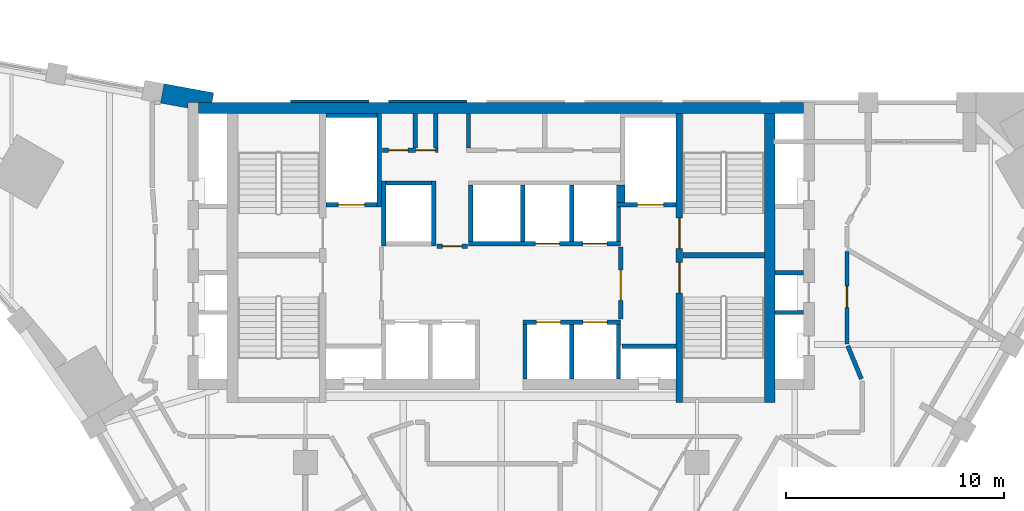
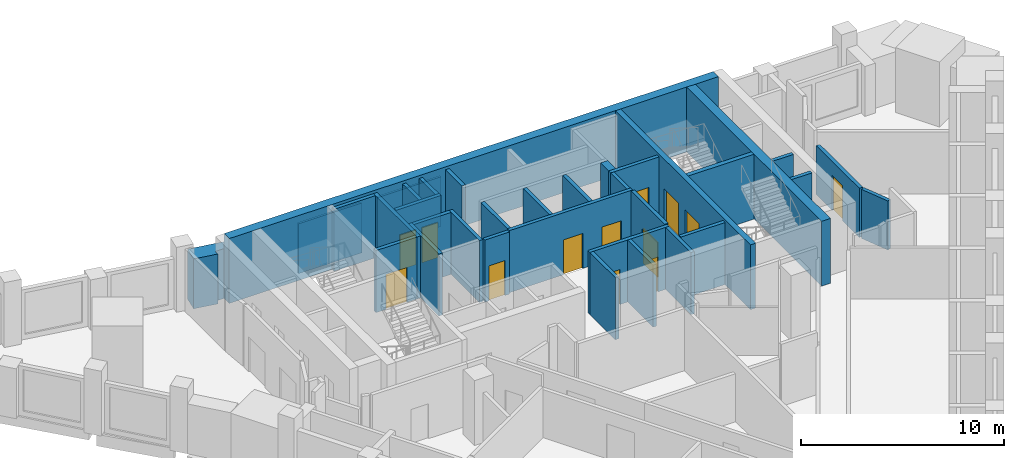
# One storey, part 6 of 9: 35 walls, 13 doors, 13 openings.
"""IFC4 building model written with IfcOpenShell, lengths in metres."""

from ifc_helpers import new_model, si_unit, direction, frame, frame_2d, origin, place, context, subcontext, project, spatial, polyline, rectangle, outline, extrude, material, layer, layer_set, type_object, element, fill, save


model = new_model("IFC4")

# Units and contexts
model_context = context("Model", 3, precision=1e-05, world=origin(), true_north=direction((0.0, 1.0)))
body_context = subcontext(model_context, "Body", "Model", "MODEL_VIEW")
ifc_project = project(units=[si_unit("LENGTHUNIT", "METRE"), si_unit("AREAUNIT", "SQUARE_METRE"), si_unit("VOLUMEUNIT", "CUBIC_METRE"), si_unit("PLANEANGLEUNIT", "RADIAN"), si_unit("MASSUNIT", "GRAM", prefix="KILO")], contexts=[model_context])

# Site, building, storey
site_placement = place(None, origin())
site = spatial("IfcSite", under=ifc_project, at=site_placement, CompositionType="ELEMENT")
building_placement = place(site_placement, origin())
building = spatial("IfcBuilding", under=site, at=building_placement, Name="Calabash Gate Tower", CompositionType="ELEMENT")
storey_placement = place(building_placement, frame((0.0, 0.0, 200.300048828125)))
storey = spatial("IfcBuildingStorey", under=building, at=storey_placement, Name="L47", CompositionType="ELEMENT", Elevation=200.300048828125)

# Walls
ifc_material_1 = material(Name="Terracotta brick masonry, exposed face", Category="masonry")
ifc_layer_1 = layer(ifc_material_1, 0.89990234375)
ifc_layer_set_1 = layer_set([ifc_layer_1], Name="Brick end wall 900")
wall_type_1 = type_object("IfcWallType", Name="Brick end wall 900", PredefinedType="SOLIDWALL", material=ifc_layer_set_1)
wall_1_placement = place(storey_placement, origin())
element("IfcWall", 1, at=wall_1_placement, inside=storey, type_object=wall_type_1, Name="Brick end wall S13 1", PredefinedType="SOLIDWALL", context=body_context, shape_type="SweptSolid", body=[
    extrude(outline(polyline([(-15.651611328125, 19.02734375), (-15.65185546875, 19.027099609375), (-14.39990234375, 18.798095703125), (-14.39990234375, 19.052490234375), (-13.291015625, 19.052490234375), (-13.2099609375, 19.4951171875), (-15.489501953125, 19.912353515625), (-15.6513671875, 19.02734375), (-15.651611328125, 19.02734375)])), origin(), (0.0, 0.0, 1.0), 3.0),
])
ifc_material_2 = material(Name="Gypsum board on steel studs, mineral wool", Category="steel")
ifc_layer_2 = layer(ifc_material_2, 0.199951171875)
ifc_layer_set_2 = layer_set([ifc_layer_2], Name="Core partition 200 gypsum board")
wall_type_2 = type_object("IfcWallType", Name="Core partition 200 gypsum board", PredefinedType="PARTITIONING", material=ifc_layer_set_2)
for number, where, z_axis, x_axis, name in (
    (2, (-3.949951171875, 16.95263671875, 0.0), (0.0, 0.0, 1.0), (0.0, 1.0, 0.0), "Core partition"),
    (3, (-3.0, 16.95263671875, 0.0), (0.0, 0.0, 1.0), (0.0, 1.0, 0.0), "Core partition"),
    (4, (-1.5, 16.95263671875, 0.0), (0.0, 0.0, 1.0), (0.0, 1.0, 0.0), "Core partition"),
):
    element("IfcWall", number, at=place(storey_placement, frame(where, z_axis=z_axis, x_axis=x_axis)), inside=storey, type_object=wall_type_2, Name=name, PredefinedType="PARTITIONING", context=body_context, shape_type="SweptSolid", body=[
        extrude(rectangle(XDim=1.599853515625, YDim=0.199951171875, at=frame_2d((0.7998046875, 0.0))), origin(), (0.0, 0.0, 1.0), 3.72998046875),
    ])
ifc_material_3 = material(Name="Concrete C70/85", Category="concrete")
ifc_layer_3 = layer(ifc_material_3, 0.25)
ifc_layer_set_3 = layer_set([ifc_layer_3], Name="Core wall 250 Concrete C70/85")
wall_type_3 = type_object("IfcWallType", Name="Core wall 250 Concrete C70/85", PredefinedType="SHEAR", material=ifc_layer_set_3)
wall_2_placement = place(storey_placement, frame((8.35009765625, 12.027587890625, 0.0), z_axis=(0.0, 0.0, 1.0), x_axis=(1.0, 0.0, 0.0)))
element("IfcWall", 5, at=wall_2_placement, inside=storey, type_object=wall_type_3, Name="Core wall Z4-MIDE L47", PredefinedType="SHEAR", context=body_context, shape_type="SweptSolid", body=[
    extrude(rectangle(XDim=3.75, YDim=0.25, at=frame_2d((1.875, 0.0))), origin(), (0.0, 0.0, 1.0), 3.89990234375),
])

# Wall, openings, doors
ifc_material_4 = material(Name="Concrete C70/85", Category="concrete")
ifc_layer_4 = layer(ifc_material_4, 0.300048828125)
ifc_layer_set_4 = layer_set([ifc_layer_4], Name="Core wall 300 Concrete C70/85")
wall_type_4 = type_object("IfcWallType", Name="Core wall 300 Concrete C70/85", PredefinedType="SHEAR", material=ifc_layer_set_4)
wall_3_placement = place(storey_placement, frame((8.199951171875, 5.252685546875, 0.0), z_axis=(0.0, 0.0, 1.0), x_axis=(0.0, 1.0, 0.0)))
wall_3 = element("IfcWall", 6, at=wall_3_placement, inside=storey, type_object=wall_type_4, Name="Core wall Z4-PARTE L47", PredefinedType="SHEAR", context=body_context, shape_type="SweptSolid", body=[
    extrude(rectangle(XDim=13.2998046875, YDim=0.300048828125, at=frame_2d((6.64990234375, 0.0))), origin(), (0.0, 0.0, 1.0), 3.89990234375),
])
opening_1_placement = place(wall_3_placement, frame((7.10009765625, 0.0, 0.0)))
opening_1 = element("IfcOpeningElement", 7, at=opening_1_placement, cuts=wall_3, Name="Opening O5-020", PredefinedType="OPENING", context=body_context, shape_type="SweptSolid", body=[
    extrude(rectangle(XDim=1.39990234375, YDim=2.10009765625, at=frame_2d((0.699951171875, 1.050048828125))), frame((0.0, 0.159912109375, 0.0), z_axis=(0.0, -1.0, 0.0), x_axis=(1.0, 0.0, 0.0)), (0.0, 0.0, 1.0), 0.320068359375),
])
opening_2_placement = place(wall_3_placement, frame((5.050048828125, 0.0, 0.0)))
opening_2 = element("IfcOpeningElement", 8, at=opening_2_placement, cuts=wall_3, Name="Opening O5-021", PredefinedType="OPENING", context=body_context, shape_type="SweptSolid", body=[
    extrude(rectangle(XDim=1.39990234375, YDim=2.10009765625, at=frame_2d((0.699951171875, 1.050048828125))), frame((0.0, 0.159912109375, 0.0), z_axis=(0.0, -1.0, 0.0), x_axis=(1.0, 0.0, 0.0)), (0.0, 0.0, 1.0), 0.320068359375),
])
ifc_material_5 = material(Name="Steel fire door set with fire-resisting glazing", Category="steel")
door_type_1 = type_object("IfcDoorType", Name="Fire door D05 1400x2100 FD90", OperationType="NOTDEFINED", PredefinedType="DOOR", material=ifc_material_5)
door_1_placement = place(opening_1_placement, origin())
door_1 = element("IfcDoor", 9, at=door_1_placement, inside=storey, type_object=door_type_1, Name="Exit stair door ST3", OperationType="SINGLE_SWING_RIGHT", OverallHeight=2.10009765625, OverallWidth=1.39990234375, PredefinedType="DOOR", context=body_context, shape_type="SweptSolid", body=[
    extrude(rectangle(XDim=1.39990234375, YDim=2.10009765625, at=frame_2d((0.699951171875, 1.050048828125))), frame((0.0, 0.02490234375, 0.0), z_axis=(0.0, -1.0, 0.0), x_axis=(1.0, 0.0, 0.0)), (0.0, 0.0, 1.0), 0.050048828125),
])
fill(opening_1, door_1)
door_2_placement = place(opening_2_placement, origin())
door_2 = element("IfcDoor", 10, at=door_2_placement, inside=storey, type_object=door_type_1, Name="Exit stair door ST4", OperationType="SINGLE_SWING_LEFT", OverallHeight=2.10009765625, OverallWidth=1.39990234375, PredefinedType="DOOR", context=body_context, shape_type="SweptSolid", body=[
    extrude(rectangle(XDim=1.39990234375, YDim=2.10009765625, at=frame_2d((0.699951171875, 1.050048828125))), frame((0.0, 0.02490234375, 0.0), z_axis=(0.0, -1.0, 0.0), x_axis=(1.0, 0.0, 0.0)), (0.0, 0.0, 1.0), 0.050048828125),
])
fill(opening_2, door_2)

# Walls
ifc_material_6 = material(Name="Concrete C70/85", Category="concrete")
ifc_layer_5 = layer(ifc_material_6, 0.5)
ifc_layer_set_5 = layer_set([ifc_layer_5], Name="Core wall 500 Concrete C70/85")
wall_type_5 = type_object("IfcWallType", Name="Core wall 500 Concrete C70/85", PredefinedType="SHEAR", material=ifc_layer_set_5)
wall_4_placement = place(storey_placement, frame((-13.89990234375, 18.802490234375, 0.0), z_axis=(0.0, 0.0, 1.0), x_axis=(1.0, 0.0, 0.0)))
element("IfcWall", 11, at=wall_4_placement, inside=storey, type_object=wall_type_5, Name="Core wall Z4-N L47", PredefinedType="SHEAR", context=body_context, shape_type="SweptSolid", body=[
    extrude(rectangle(XDim=27.7998046875, YDim=0.5, at=frame_2d((13.89990234375, 0.0))), origin(), (0.0, 0.0, 1.0), 3.89990234375),
])
wall_5_placement = place(storey_placement, frame((12.35009765625, 5.252685546875, 0.0), z_axis=(0.0, 0.0, 1.0), x_axis=(0.0, 1.0, 0.0)))
element("IfcWall", 12, at=wall_5_placement, inside=storey, type_object=wall_type_5, Name="Core wall Z4-COLE L47", PredefinedType="SHEAR", context=body_context, shape_type="SweptSolid", body=[
    extrude(rectangle(XDim=13.2998046875, YDim=0.5, at=frame_2d((6.64990234375, 0.0))), origin(), (0.0, 0.0, 1.0), 3.89990234375),
])
ifc_material_7 = material(Name="Gypsum board on steel studs, mineral wool", Category="steel")
ifc_layer_6 = layer(ifc_material_7, 0.199951171875)
ifc_layer_set_6 = layer_set([ifc_layer_6], Name="Partition 200 gypsum board EI 60")
wall_type_6 = type_object("IfcWallType", Name="Partition 200 gypsum board EI 60", PredefinedType="PARTITIONING", material=ifc_layer_set_6)
wall_6_placement = place(storey_placement, frame((15.938720703125, 7.860107421875, 0.0), z_axis=(0.0, 0.0, 1.0), x_axis=(0.380749805254, -0.924678098475, 0.0)))
element("IfcWall", 13, at=wall_6_placement, inside=storey, type_object=wall_type_6, Name="Partition", PredefinedType="PARTITIONING", context=body_context, shape_type="SweptSolid", body=[
    extrude(rectangle(XDim=1.63818359375, YDim=0.199951171875, at=frame_2d((0.819091796875, 0.0))), origin(), (0.0, 0.0, 1.0), 2.949951171875),
])

# Wall, opening, door
wall_7_placement = place(storey_placement, frame((15.900390625, 7.95263671875, 0.0), z_axis=(0.0, 0.0, 1.0), x_axis=(0.000402229468, 0.999999919106, 0.0)))
wall_7 = element("IfcWall", 14, at=wall_7_placement, inside=storey, type_object=wall_type_6, Name="Partition", PredefinedType="PARTITIONING", context=body_context, shape_type="SweptSolid", body=[
    extrude(rectangle(XDim=4.248779296875, YDim=0.199951171875, at=frame_2d((2.12451171875, 0.0))), origin(), (0.0, 0.0, 1.0), 2.949951171875),
])
opening_3_placement = place(wall_7_placement, frame((1.67578125, 0.0, 0.0)))
opening_3 = element("IfcOpeningElement", 15, at=opening_3_placement, cuts=wall_7, Name="Opening 46-48-011", PredefinedType="OPENING", context=body_context, shape_type="SweptSolid", body=[
    extrude(rectangle(XDim=1.0, YDim=2.10009765625, at=frame_2d((0.5, 1.050048828125))), frame((0.0, 0.10986328125, 0.0), z_axis=(0.0, -1.0, 0.0), x_axis=(1.0, 0.0, 0.0)), (0.0, 0.0, 1.0), 0.219970703125),
])
ifc_material_8 = material(Name="Steel fire door set with fire-resisting glazing", Category="steel")
door_type_2 = type_object("IfcDoorType", Name="LD2 Meeting room door 1000x2100", OperationType="NOTDEFINED", PredefinedType="DOOR", material=ifc_material_8)
door_3_placement = place(opening_3_placement, origin())
door_3 = element("IfcDoor", 16, at=door_3_placement, inside=storey, type_object=door_type_2, Name="Meeting room door", OperationType="SINGLE_SWING_RIGHT", OverallHeight=2.10009765625, OverallWidth=1.0, PredefinedType="DOOR", context=body_context, shape_type="SweptSolid", body=[
    extrude(rectangle(XDim=1.0, YDim=2.10009765625, at=frame_2d((0.5, 1.050048828125))), frame((0.0, 0.02490234375, 0.0), z_axis=(0.0, -1.0, 0.0), x_axis=(1.0, 0.0, 0.0)), (0.0, 0.0, 1.0), 0.050048828125),
])
fill(opening_3, door_3)

# Walls
ifc_material_9 = material(Name="Concrete C40/50", Category="concrete")
ifc_layer_7 = layer(ifc_material_9, 0.199951171875)
ifc_layer_set_7 = layer_set([ifc_layer_7], Name="Shaft wall 200 Concrete C40/50")
wall_type_7 = type_object("IfcWallType", Name="Shaft wall 200 Concrete C40/50", PredefinedType="SOLIDWALL", material=ifc_layer_set_7)
for number, where, z_axis, x_axis, name in (
    (17, (1.10009765625, 6.3525390625, 0.0), (0.0, 0.0, 1.0), (0.0, 1.0, 0.0), "Shaft wall"),
    (18, (3.25, 6.3525390625, 0.0), (0.0, 0.0, 1.0), (0.0, 1.0, 0.0), "Shaft wall"),
    (19, (5.39990234375, 6.3525390625, 0.0), (0.0, 0.0, 1.0), (0.0, 1.0, 0.0), "Shaft wall"),
    (20, (5.550048828125, 7.8525390625, 0.0), (0.0, 0.0, 1.0), (1.0, 0.0, 0.0), "Shaft wall"),
):
    element("IfcWall", number, at=place(storey_placement, frame(where, z_axis=z_axis, x_axis=x_axis)), inside=storey, type_object=wall_type_7, Name=name, PredefinedType="SOLIDWALL", context=body_context, shape_type="SweptSolid", body=[
        extrude(rectangle(XDim=2.5, YDim=0.199951171875, at=frame_2d((1.25, 0.0))), origin(), (0.0, 0.0, 1.0), 3.72998046875),
    ])

# Wall, openings, doors
wall_8_placement = place(storey_placement, frame((1.0, 8.95263671875, 0.0), z_axis=(0.0, 0.0, 1.0), x_axis=(1.0, 0.0, 0.0)))
wall_8 = element("IfcWall", 21, at=wall_8_placement, inside=storey, type_object=wall_type_7, Name="Shaft wall", PredefinedType="SOLIDWALL", context=body_context, shape_type="SweptSolid", body=[
    extrude(rectangle(XDim=4.5, YDim=0.199951171875, at=frame_2d((2.25, 0.0))), origin(), (0.0, 0.0, 1.0), 3.72998046875),
])
opening_4_placement = place(wall_8_placement, frame((0.625, 0.0, 0.0)))
opening_4 = element("IfcOpeningElement", 22, at=opening_4_placement, cuts=wall_8, Name="Opening LD-HR3", PredefinedType="OPENING", context=body_context, shape_type="SweptSolid", body=[
    extrude(rectangle(XDim=1.10009765625, YDim=2.10009765625, at=frame_2d((0.550048828125, 1.050048828125))), frame((0.0, 0.10986328125, 0.0), z_axis=(0.0, -1.0, 0.0), x_axis=(1.0, 0.0, 0.0)), (0.0, 0.0, 1.0), 0.219970703125),
])
opening_5_placement = place(wall_8_placement, frame((2.77490234375, 0.0, 0.0)))
opening_5 = element("IfcOpeningElement", 23, at=opening_5_placement, cuts=wall_8, Name="Opening LD-HR4", PredefinedType="OPENING", context=body_context, shape_type="SweptSolid", body=[
    extrude(rectangle(XDim=1.10009765625, YDim=2.10009765625, at=frame_2d((0.550048828125, 1.050048828125))), frame((0.0, 0.10986328125, 0.0), z_axis=(0.0, -1.0, 0.0), x_axis=(1.0, 0.0, 0.0)), (0.0, 0.0, 1.0), 0.219970703125),
])
ifc_material_10 = material(Name="Stainless steel sliding door leaves", Category="steel")
door_type_3 = type_object("IfcDoorType", Name="Lift landing door LS1 1100x2100 FD90", OperationType="DOUBLE_DOOR_SLIDING", PredefinedType="DOOR", material=ifc_material_10)
door_4_placement = place(opening_4_placement, origin())
door_4 = element("IfcDoor", 24, at=door_4_placement, inside=storey, type_object=door_type_3, Name="Lift landing door HR3", OperationType="DOUBLE_DOOR_SLIDING", OverallHeight=2.10009765625, OverallWidth=1.10009765625, PredefinedType="DOOR", context=body_context, shape_type="SweptSolid", body=[
    extrude(rectangle(XDim=1.10009765625, YDim=2.10009765625, at=frame_2d((0.550048828125, 1.050048828125))), frame((0.0, 0.02490234375, 0.0), z_axis=(0.0, -1.0, 0.0), x_axis=(1.0, 0.0, 0.0)), (0.0, 0.0, 1.0), 0.050048828125),
])
fill(opening_4, door_4)
door_5_placement = place(opening_5_placement, origin())
door_5 = element("IfcDoor", 25, at=door_5_placement, inside=storey, type_object=door_type_3, Name="Lift landing door HR4", OperationType="DOUBLE_DOOR_SLIDING", OverallHeight=2.10009765625, OverallWidth=1.10009765625, PredefinedType="DOOR", context=body_context, shape_type="SweptSolid", body=[
    extrude(rectangle(XDim=1.10009765625, YDim=2.10009765625, at=frame_2d((0.550048828125, 1.050048828125))), frame((0.0, 0.02490234375, 0.0), z_axis=(0.0, -1.0, 0.0), x_axis=(1.0, 0.0, 0.0)), (0.0, 0.0, 1.0), 0.050048828125),
])
fill(opening_5, door_5)

# Wall, opening, door
wall_9_placement = place(storey_placement, frame((5.5, 9.1025390625, 0.0), z_axis=(0.0, 0.0, 1.0), x_axis=(0.0, 1.0, 0.0)))
wall_9 = element("IfcWall", 26, at=wall_9_placement, inside=storey, type_object=wall_type_7, Name="Shaft wall", PredefinedType="SOLIDWALL", context=body_context, shape_type="SweptSolid", body=[
    extrude(rectangle(XDim=3.300048828125, YDim=0.199951171875, at=frame_2d((1.64990234375, 0.0))), origin(), (0.0, 0.0, 1.0), 3.72998046875),
])
opening_6_placement = place(wall_9_placement, frame((0.85009765625, 0.0, 0.0)))
opening_6 = element("IfcOpeningElement", 27, at=opening_6_placement, cuts=wall_9, Name="Opening O5-010", PredefinedType="OPENING", context=body_context, shape_type="SweptSolid", body=[
    extrude(rectangle(XDim=1.39990234375, YDim=2.10009765625, at=frame_2d((0.699951171875, 1.050048828125))), frame((0.0, 0.10986328125, 0.0), z_axis=(0.0, -1.0, 0.0), x_axis=(1.0, 0.0, 0.0)), (0.0, 0.0, 1.0), 0.219970703125),
])
door_6_placement = place(opening_6_placement, origin())
door_6 = element("IfcDoor", 28, at=door_6_placement, inside=storey, type_object=door_type_1, Name="Firefighting Lobby E door", OperationType="SINGLE_SWING_LEFT", OverallHeight=2.10009765625, OverallWidth=1.39990234375, PredefinedType="DOOR", context=body_context, shape_type="SweptSolid", body=[
    extrude(rectangle(XDim=1.39990234375, YDim=2.10009765625, at=frame_2d((0.699951171875, 1.050048828125))), frame((0.0, 0.02490234375, 0.0), z_axis=(0.0, -1.0, 0.0), x_axis=(1.0, 0.0, 0.0)), (0.0, 0.0, 1.0), 0.050048828125),
])
fill(opening_6, door_6)

# Walls
for number, where, z_axis, x_axis, name in (
    (29, (12.60009765625, 9.402587890625, 0.0), (0.0, 0.0, 1.0), (1.0, 0.0, 0.0), "Shaft wall"),
    (30, (12.60009765625, 11.232666015625, 0.0), (0.0, 0.0, 1.0), (1.0, 0.0, 0.0), "Shaft wall"),
):
    element("IfcWall", number, at=place(storey_placement, frame(where, z_axis=z_axis, x_axis=x_axis)), inside=storey, type_object=wall_type_7, Name=name, PredefinedType="SOLIDWALL", context=body_context, shape_type="SweptSolid", body=[
        extrude(rectangle(XDim=1.2998046875, YDim=0.199951171875, at=frame_2d((0.64990234375, 0.0))), origin(), (0.0, 0.0, 1.0), 3.72998046875),
    ])

# Wall, opening, door
wall_10_placement = place(storey_placement, frame((-2.949951171875, 12.45263671875, 0.0), z_axis=(0.0, 0.0, 1.0), x_axis=(1.0, 0.0, 0.0)))
wall_10 = element("IfcWall", 31, at=wall_10_placement, inside=storey, type_object=wall_type_7, Name="Shaft wall", PredefinedType="SOLIDWALL", context=body_context, shape_type="SweptSolid", body=[
    extrude(rectangle(XDim=1.39990234375, YDim=0.199951171875, at=frame_2d((0.699951171875, 0.0))), origin(), (0.0, 0.0, 1.0), 3.72998046875),
])
opening_7_placement = place(wall_10_placement, frame((0.25, 0.0, 0.0)))
opening_7 = element("IfcOpeningElement", 32, at=opening_7_placement, cuts=wall_10, Name="Opening O5-009", PredefinedType="OPENING", context=body_context, shape_type="SweptSolid", body=[
    extrude(rectangle(XDim=0.89990234375, YDim=2.10009765625, at=frame_2d((0.449951171875, 1.050048828125))), frame((0.0, 0.10986328125, 0.0), z_axis=(0.0, -1.0, 0.0), x_axis=(1.0, 0.0, 0.0)), (0.0, 0.0, 1.0), 0.219970703125),
])
ifc_material_11 = material(Name="Steel fire door set with fire-resisting glazing", Category="steel")
door_type_4 = type_object("IfcDoorType", Name="Fire door D06 900x2100 FD60", OperationType="NOTDEFINED", PredefinedType="DOOR", material=ifc_material_11)
door_7_placement = place(opening_7_placement, origin())
door_7 = element("IfcDoor", 33, at=door_7_placement, inside=storey, type_object=door_type_4, Name="Service Corridor door", OperationType="SINGLE_SWING_RIGHT", OverallHeight=2.10009765625, OverallWidth=0.89990234375, PredefinedType="DOOR", context=body_context, shape_type="SweptSolid", body=[
    extrude(rectangle(XDim=0.89990234375, YDim=2.10009765625, at=frame_2d((0.449951171875, 1.050048828125))), frame((0.0, 0.02490234375, 0.0), z_axis=(0.0, -1.0, 0.0), x_axis=(1.0, 0.0, 0.0)), (0.0, 0.0, 1.0), 0.050048828125),
])
fill(opening_7, door_7)

# Walls
for number, where, z_axis, x_axis, name in (
    (34, (-5.39990234375, 12.45263671875, 0.0), (0.0, 0.0, 1.0), (0.0, 1.0, 0.0), "Shaft wall"),
    (35, (-3.10009765625, 12.45263671875, 0.0), (0.0, 0.0, 1.0), (0.0, 1.0, 0.0), "Shaft wall"),
):
    element("IfcWall", number, at=place(storey_placement, frame(where, z_axis=z_axis, x_axis=x_axis)), inside=storey, type_object=wall_type_7, Name=name, PredefinedType="SOLIDWALL", context=body_context, shape_type="SweptSolid", body=[
        extrude(rectangle(XDim=3.0, YDim=0.199951171875, at=frame_2d((1.5, 0.0))), origin(), (0.0, 0.0, 1.0), 3.72998046875),
    ])

# Wall, openings, doors
wall_11_placement = place(storey_placement, frame((-1.5, 12.552490234375, 0.0), z_axis=(0.0, 0.0, 1.0), x_axis=(1.0, 0.0, 0.0)))
wall_11 = element("IfcWall", 36, at=wall_11_placement, inside=storey, type_object=wall_type_7, Name="Shaft wall", PredefinedType="SOLIDWALL", context=body_context, shape_type="SweptSolid", body=[
    extrude(rectangle(XDim=7.0, YDim=0.199951171875, at=frame_2d((3.5, 0.0))), origin(), (0.0, 0.0, 1.0), 3.72998046875),
])
opening_8_placement = place(wall_11_placement, frame((3.074951171875, 0.0, 0.0)))
opening_8 = element("IfcOpeningElement", 37, at=opening_8_placement, cuts=wall_11, Name="Opening LD-HR5", PredefinedType="OPENING", context=body_context, shape_type="SweptSolid", body=[
    extrude(rectangle(XDim=1.10009765625, YDim=2.10009765625, at=frame_2d((0.550048828125, 1.050048828125))), frame((0.0, 0.10986328125, 0.0), z_axis=(0.0, -1.0, 0.0), x_axis=(1.0, 0.0, 0.0)), (0.0, 0.0, 1.0), 0.219970703125),
])
opening_9_placement = place(wall_11_placement, frame((5.27490234375, 0.0, 0.0)))
opening_9 = element("IfcOpeningElement", 38, at=opening_9_placement, cuts=wall_11, Name="Opening LD-HR6", PredefinedType="OPENING", context=body_context, shape_type="SweptSolid", body=[
    extrude(rectangle(XDim=1.10009765625, YDim=2.10009765625, at=frame_2d((0.550048828125, 1.050048828125))), frame((0.0, 0.10986328125, 0.0), z_axis=(0.0, -1.0, 0.0), x_axis=(1.0, 0.0, 0.0)), (0.0, 0.0, 1.0), 0.219970703125),
])
door_8_placement = place(opening_8_placement, origin())
door_8 = element("IfcDoor", 39, at=door_8_placement, inside=storey, type_object=door_type_3, Name="Lift landing door HR5", OperationType="DOUBLE_DOOR_SLIDING", OverallHeight=2.10009765625, OverallWidth=1.10009765625, PredefinedType="DOOR", context=body_context, shape_type="SweptSolid", body=[
    extrude(rectangle(XDim=1.10009765625, YDim=2.10009765625, at=frame_2d((0.550048828125, 1.050048828125))), frame((0.0, 0.02490234375, 0.0), z_axis=(0.0, -1.0, 0.0), x_axis=(1.0, 0.0, 0.0)), (0.0, 0.0, 1.0), 0.050048828125),
])
fill(opening_8, door_8)
door_9_placement = place(opening_9_placement, origin())
door_9 = element("IfcDoor", 40, at=door_9_placement, inside=storey, type_object=door_type_3, Name="Lift landing door HR6", OperationType="DOUBLE_DOOR_SLIDING", OverallHeight=2.10009765625, OverallWidth=1.10009765625, PredefinedType="DOOR", context=body_context, shape_type="SweptSolid", body=[
    extrude(rectangle(XDim=1.10009765625, YDim=2.10009765625, at=frame_2d((0.550048828125, 1.050048828125))), frame((0.0, 0.02490234375, 0.0), z_axis=(0.0, -1.0, 0.0), x_axis=(1.0, 0.0, 0.0)), (0.0, 0.0, 1.0), 0.050048828125),
])
fill(opening_9, door_9)

# Walls
for number, where, z_axis, x_axis, name in (
    (41, (-1.39990234375, 12.652587890625, 0.0), (0.0, 0.0, 1.0), (0.0, 1.0, 0.0), "Shaft wall"),
    (42, (1.0, 12.652587890625, 0.0), (0.0, 0.0, 1.0), (0.0, 1.0, 0.0), "Shaft wall"),
    (43, (3.25, 12.652587890625, 0.0), (0.0, 0.0, 1.0), (0.0, 1.0, 0.0), "Shaft wall"),
):
    element("IfcWall", number, at=place(storey_placement, frame(where, z_axis=z_axis, x_axis=x_axis)), inside=storey, type_object=wall_type_7, Name=name, PredefinedType="SOLIDWALL", context=body_context, shape_type="SweptSolid", body=[
        extrude(rectangle(XDim=2.60009765625, YDim=0.199951171875, at=frame_2d((1.300048828125, 0.0))), origin(), (0.0, 0.0, 1.0), 3.72998046875),
    ])
wall_12_placement = place(storey_placement, frame((5.39990234375, 12.652587890625, 0.0), z_axis=(0.0, 0.0, 1.0), x_axis=(0.0, 1.0, 0.0)))
element("IfcWall", 44, at=wall_12_placement, inside=storey, type_object=wall_type_7, Name="Shaft wall", PredefinedType="SOLIDWALL", context=body_context, shape_type="SweptSolid", body=[
    extrude(rectangle(XDim=1.60009765625, YDim=0.199951171875, at=frame_2d((0.800048828125, 0.0))), origin(), (0.0, 0.0, 1.0), 3.72998046875),
])

# Wall, opening, door
wall_13_placement = place(storey_placement, frame((-8.050048828125, 14.3525390625, 0.0), z_axis=(0.0, 0.0, 1.0), x_axis=(1.0, 0.0, 0.0)))
wall_13 = element("IfcWall", 45, at=wall_13_placement, inside=storey, type_object=wall_type_7, Name="Shaft wall", PredefinedType="SOLIDWALL", context=body_context, shape_type="SweptSolid", body=[
    extrude(rectangle(XDim=2.35009765625, YDim=0.199951171875, at=frame_2d((1.175048828125, 0.0))), origin(), (0.0, 0.0, 1.0), 3.72998046875),
])
opening_10_placement = place(wall_13_placement, frame((0.574951171875, 0.0, 0.0)))
opening_10 = element("IfcOpeningElement", 46, at=opening_10_placement, cuts=wall_13, Name="Opening LD-FF1", PredefinedType="OPENING", context=body_context, shape_type="SweptSolid", body=[
    extrude(rectangle(XDim=1.199951171875, YDim=2.10009765625, at=frame_2d((0.60009765625, 1.050048828125))), frame((0.0, 0.10986328125, 0.0), z_axis=(0.0, -1.0, 0.0), x_axis=(1.0, 0.0, 0.0)), (0.0, 0.0, 1.0), 0.219970703125),
])
ifc_material_12 = material(Name="Stainless steel sliding door leaves", Category="steel")
door_type_5 = type_object("IfcDoorType", Name="Lift landing door LS3 1200x2100 FD90", OperationType="DOUBLE_DOOR_SLIDING", PredefinedType="DOOR", material=ifc_material_12)
door_10_placement = place(opening_10_placement, origin())
door_10 = element("IfcDoor", 47, at=door_10_placement, inside=storey, type_object=door_type_5, Name="Lift landing door FF1", OperationType="DOUBLE_DOOR_SLIDING", OverallHeight=2.10009765625, OverallWidth=1.199951171875, PredefinedType="DOOR", context=body_context, shape_type="SweptSolid", body=[
    extrude(rectangle(XDim=1.199951171875, YDim=2.10009765625, at=frame_2d((0.60009765625, 1.050048828125))), frame((0.0, 0.02490234375, 0.0), z_axis=(0.0, -1.0, 0.0), x_axis=(1.0, 0.0, 0.0)), (0.0, 0.0, 1.0), 0.050048828125),
])
fill(opening_10, door_10)

# Wall
wall_14_placement = place(storey_placement, frame((-5.60009765625, 14.252685546875, 0.0), z_axis=(0.0, 0.0, 1.0), x_axis=(0.0, 1.0, 0.0)))
element("IfcWall", 48, at=wall_14_placement, inside=storey, type_object=wall_type_7, Name="Shaft wall", PredefinedType="SOLIDWALL", context=body_context, shape_type="SweptSolid", body=[
    extrude(rectangle(XDim=4.2998046875, YDim=0.199951171875, at=frame_2d((2.14990234375, 0.0))), origin(), (0.0, 0.0, 1.0), 3.72998046875),
])

# Wall, opening, door
wall_15_placement = place(storey_placement, frame((5.300048828125, 14.3525390625, 0.0), z_axis=(0.0, 0.0, 1.0), x_axis=(1.0, 0.0, 0.0)))
wall_15 = element("IfcWall", 49, at=wall_15_placement, inside=storey, type_object=wall_type_7, Name="Shaft wall", PredefinedType="SOLIDWALL", context=body_context, shape_type="SweptSolid", body=[
    extrude(rectangle(XDim=2.75, YDim=0.199951171875, at=frame_2d((1.375, 0.0))), origin(), (0.0, 0.0, 1.0), 3.72998046875),
])
opening_11_placement = place(wall_15_placement, frame((0.97509765625, 0.0, 0.0)))
opening_11 = element("IfcOpeningElement", 50, at=opening_11_placement, cuts=wall_15, Name="Opening LD-FF2", PredefinedType="OPENING", context=body_context, shape_type="SweptSolid", body=[
    extrude(rectangle(XDim=1.199951171875, YDim=2.10009765625, at=frame_2d((0.60009765625, 1.050048828125))), frame((0.0, 0.10986328125, 0.0), z_axis=(0.0, -1.0, 0.0), x_axis=(1.0, 0.0, 0.0)), (0.0, 0.0, 1.0), 0.219970703125),
])
door_11_placement = place(opening_11_placement, origin())
door_11 = element("IfcDoor", 51, at=door_11_placement, inside=storey, type_object=door_type_5, Name="Lift landing door FF2", OperationType="DOUBLE_DOOR_SLIDING", OverallHeight=2.10009765625, OverallWidth=1.199951171875, PredefinedType="DOOR", context=body_context, shape_type="SweptSolid", body=[
    extrude(rectangle(XDim=1.199951171875, YDim=2.10009765625, at=frame_2d((0.60009765625, 1.050048828125))), frame((0.0, 0.02490234375, 0.0), z_axis=(0.0, -1.0, 0.0), x_axis=(1.0, 0.0, 0.0)), (0.0, 0.0, 1.0), 0.050048828125),
])
fill(opening_11, door_11)

# Walls
wall_16_placement = place(storey_placement, frame((5.5, 14.45263671875, 0.0), z_axis=(0.0, 0.0, 1.0), x_axis=(0.0, 1.0, 0.0)))
element("IfcWall", 52, at=wall_16_placement, inside=storey, type_object=wall_type_7, Name="Shaft wall", PredefinedType="SOLIDWALL", context=body_context, shape_type="SweptSolid", body=[
    extrude(rectangle(XDim=0.800048828125, YDim=0.39990234375, at=frame_2d((0.39990234375, 0.0))), origin(), (0.0, 0.0, 1.0), 3.72998046875),
])
wall_17_placement = place(storey_placement, frame((-5.300048828125, 15.3525390625, 0.0), z_axis=(0.0, 0.0, 1.0), x_axis=(1.0, 0.0, 0.0)))
element("IfcWall", 53, at=wall_17_placement, inside=storey, type_object=wall_type_7, Name="Shaft wall", PredefinedType="SOLIDWALL", context=body_context, shape_type="SweptSolid", body=[
    extrude(rectangle(XDim=2.10009765625, YDim=0.199951171875, at=frame_2d((1.050048828125, 0.0))), origin(), (0.0, 0.0, 1.0), 3.72998046875),
])

# Wall, openings, doors
wall_18_placement = place(storey_placement, frame((-5.449951171875, 16.8525390625, 0.0), z_axis=(0.0, 0.0, 1.0), x_axis=(1.0, 0.0, 0.0)))
wall_18 = element("IfcWall", 54, at=wall_18_placement, inside=storey, type_object=wall_type_7, Name="Shaft wall", PredefinedType="SOLIDWALL", context=body_context, shape_type="SweptSolid", body=[
    extrude(rectangle(XDim=2.550048828125, YDim=0.199951171875, at=frame_2d((1.27490234375, 0.0))), origin(), (0.0, 0.0, 1.0), 3.72998046875),
])
opening_12_placement = place(wall_18_placement, frame((0.27490234375, 0.0, 0.0)))
opening_12 = element("IfcOpeningElement", 55, at=opening_12_placement, cuts=wall_18, Name="Opening O5-012", PredefinedType="OPENING", context=body_context, shape_type="SweptSolid", body=[
    extrude(rectangle(XDim=0.89990234375, YDim=2.10009765625, at=frame_2d((0.449951171875, 1.050048828125))), frame((0.0, 0.10986328125, 0.0), z_axis=(0.0, -1.0, 0.0), x_axis=(1.0, 0.0, 0.0)), (0.0, 0.0, 1.0), 0.219970703125),
])
opening_13_placement = place(wall_18_placement, frame((1.52490234375, 0.0, 0.0)))
opening_13 = element("IfcOpeningElement", 56, at=opening_13_placement, cuts=wall_18, Name="Opening O5-013", PredefinedType="OPENING", context=body_context, shape_type="SweptSolid", body=[
    extrude(rectangle(XDim=0.89990234375, YDim=2.10009765625, at=frame_2d((0.449951171875, 1.050048828125))), frame((0.0, 0.10986328125, 0.0), z_axis=(0.0, -1.0, 0.0), x_axis=(1.0, 0.0, 0.0)), (0.0, 0.0, 1.0), 0.219970703125),
])
door_12_placement = place(opening_12_placement, origin())
door_12 = element("IfcDoor", 57, at=door_12_placement, inside=storey, type_object=door_type_4, Name="Accessible WC door", OperationType="SINGLE_SWING_LEFT", OverallHeight=2.10009765625, OverallWidth=0.89990234375, PredefinedType="DOOR", context=body_context, shape_type="SweptSolid", body=[
    extrude(rectangle(XDim=0.89990234375, YDim=2.10009765625, at=frame_2d((0.449951171875, 1.050048828125))), frame((0.0, 0.02490234375, 0.0), z_axis=(0.0, -1.0, 0.0), x_axis=(1.0, 0.0, 0.0)), (0.0, 0.0, 1.0), 0.050048828125),
])
fill(opening_12, door_12)
door_13_placement = place(opening_13_placement, origin())
door_13 = element("IfcDoor", 58, at=door_13_placement, inside=storey, type_object=door_type_4, Name="Cleaner's Store door", OperationType="SINGLE_SWING_LEFT", OverallHeight=2.10009765625, OverallWidth=0.89990234375, PredefinedType="DOOR", context=body_context, shape_type="SweptSolid", body=[
    extrude(rectangle(XDim=0.89990234375, YDim=2.10009765625, at=frame_2d((0.449951171875, 1.050048828125))), frame((0.0, 0.02490234375, 0.0), z_axis=(0.0, -1.0, 0.0), x_axis=(1.0, 0.0, 0.0)), (0.0, 0.0, 1.0), 0.050048828125),
])
fill(opening_13, door_13)

# Walls
wall_19_placement = place(storey_placement, frame((-8.050048828125, 18.45263671875, 0.0), z_axis=(0.0, 0.0, 1.0), x_axis=(1.0, 0.0, 0.0)))
element("IfcWall", 59, at=wall_19_placement, inside=storey, type_object=wall_type_7, Name="Shaft wall", PredefinedType="SOLIDWALL", context=body_context, shape_type="SweptSolid", body=[
    extrude(rectangle(XDim=2.35009765625, YDim=0.199951171875, at=frame_2d((1.175048828125, 0.0))), origin(), (0.0, 0.0, 1.0), 3.72998046875),
])
ifc_material_13 = material(Name="Terracotta brick masonry, perforated", Category="masonry")
ifc_layer_8 = layer(ifc_material_13, 0.1201171875)
ifc_layer_set_8 = layer_set([ifc_layer_8], Name="Terracotta jaali cladding A 120")
wall_type_8 = type_object("IfcWallType", Name="Terracotta jaali cladding A 120", PredefinedType="SOLIDWALL", material=ifc_layer_set_8)
wall_20_placement = place(storey_placement, origin())
element("IfcWall", 60, at=wall_20_placement, inside=storey, type_object=wall_type_8, Name="Jaali cladding S13 N4.7", PredefinedType="SOLIDWALL", context=body_context, shape_type="SweptSolid", body=[
    extrude(outline(polyline([(-9.672119140625, 19.172607421875), (-9.672119140625, 19.052490234375), (-6.072265625, 19.052490234375), (-6.072265625, 19.172607421875), (-9.672119140625, 19.172607421875)])), origin(), (0.0, 0.0, 1.0), 3.0),
])
ifc_material_14 = material(Name="Terracotta louvre blades in an aluminium frame", Category="masonry")
ifc_layer_9 = layer(ifc_material_14, 0.1201171875)
ifc_layer_set_9 = layer_set([ifc_layer_9], Name="Terracotta vent louvre cladding 120")
wall_type_9 = type_object("IfcWallType", Name="Terracotta vent louvre cladding 120", PredefinedType="ELEMENTEDWALL", material=ifc_layer_set_9)
wall_21_placement = place(storey_placement, origin())
element("IfcWall", 61, at=wall_21_placement, inside=storey, type_object=wall_type_9, Name="Vent louvre cladding S13 N4.6", PredefinedType="ELEMENTEDWALL", context=body_context, shape_type="SweptSolid", body=[
    extrude(outline(polyline([(-5.172119140625, 19.172607421875), (-5.172119140625, 19.052490234375), (-1.572265625, 19.052490234375), (-1.572265625, 19.172607421875), (-5.172119140625, 19.172607421875)])), origin(), (0.0, 0.0, 1.0), 3.0),
])

save(model, "model.ifc")
